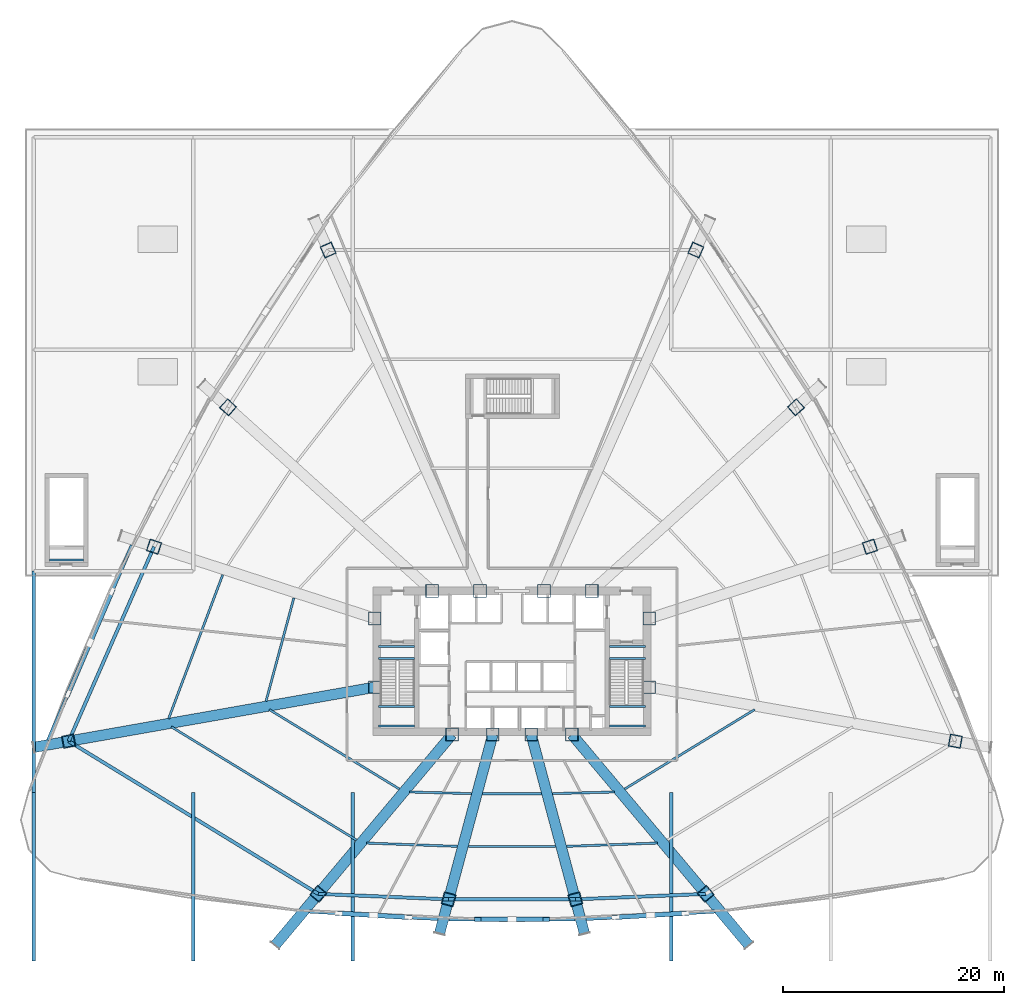
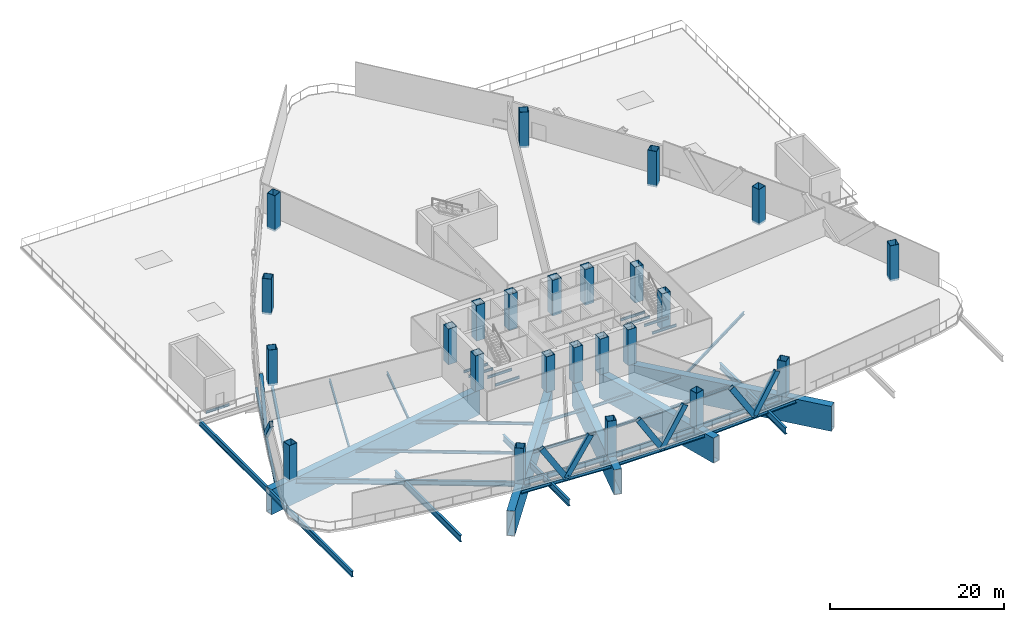
# One storey, part 1 of 18: 39 beams, 24 columns, 8 members.
"""IFC4 building model written with IfcOpenShell, lengths in metres."""

from ifc_helpers import new_model, si_unit, direction, frame, origin, origin_2d, place, context, subcontext, project, spatial, hollow_rectangle, i_section, extrude, source, transform, mapped, material, material_profile, profile_set, type_object, element, save


model = new_model("IFC4")

# Units and contexts
model_context = context("Model", 3, precision=1e-05, world=origin(), true_north=direction((0.0, 1.0)))
body_context = subcontext(model_context, "Body", "Model", "MODEL_VIEW")
ifc_project = project(units=[si_unit("LENGTHUNIT", "METRE"), si_unit("AREAUNIT", "SQUARE_METRE"), si_unit("VOLUMEUNIT", "CUBIC_METRE"), si_unit("PLANEANGLEUNIT", "RADIAN"), si_unit("MASSUNIT", "GRAM", prefix="KILO"), si_unit("THERMODYNAMICTEMPERATUREUNIT", "KELVIN"), si_unit("POWERUNIT", "WATT")], contexts=[model_context])

# Site, building, storey
site_placement = place(None, origin())
site = spatial("IfcSite", under=ifc_project, at=site_placement, CompositionType="ELEMENT")
building_placement = place(site_placement, origin())
building = spatial("IfcBuilding", under=site, at=building_placement, Name="Yunzhuo Pagoda Commons", CompositionType="ELEMENT")
storey_placement = place(building_placement, frame((0.0, 0.0, 25.39990234375)))
storey = spatial("IfcBuildingStorey", under=building, at=storey_placement, Name="L06", CompositionType="ELEMENT", Elevation=25.39990234375)

# Columns
ifc_material_1 = material(Name="Structural steel Q420B", Category="steel")
ifc_material_profile_1 = material_profile(ifc_material_1, hollow_rectangle(XDim=1.14990234375, YDim=1.14990234375, WallThickness=0.048095703125, at=origin_2d()), Name="Structural steel Q420B")
ifc_profile_set_1 = profile_set([ifc_material_profile_1], Name="Structural steel Q420B")
column_type_1 = type_object("IfcColumnType", Name="C-COR Column BOX 1150x1150x48", PredefinedType="COLUMN", material=ifc_profile_set_1)
shared_shape_1 = source(origin(), body_context, "Body", "SweptSolid", [
    extrude(hollow_rectangle(XDim=1.14990234375, YDim=1.14990234375, WallThickness=0.048095703125, at=origin_2d()), origin(), (0.0, 0.0, 1.0), 5.019775390625),
])
for number, where, z_axis, x_axis, name in (
    (1, (42.587890625, 27.25, -0.27978515625), (0.0, 0.0, 1.0), (1.0, 0.0, 0.0), "L06 core composite column F1C1"),
    (2, (46.27197265625, 27.25, -0.27978515625), (0.0, 0.0, 1.0), (1.0, 0.0, 0.0), "L06 core composite column F1C2"),
    (3, (49.728515625, 27.25, -0.27978515625), (0.0, 0.0, 1.0), (1.0, 0.0, 0.0), "L06 core composite column F1C3"),
    (4, (53.412109375, 27.25, -0.27978515625), (0.0, 0.0, 1.0), (1.0, 0.0, 0.0), "L06 core composite column F1C4"),
    (5, (60.39990234375, 31.513427734375, -0.27978515625), (0.0, 0.0, 1.0), (1.0, 0.0, 0.0), "L06 core composite column F2C1"),
    (6, (60.39990234375, 37.72900390625, -0.27978515625), (0.0, 0.0, 1.0), (1.0, 0.0, 0.0), "L06 core composite column F2C2"),
    (7, (55.218994140625, 40.199951171875, -0.27978515625), (0.0, 0.0, 1.0), (1.0, 0.0, 0.0), "L06 core composite column F2C3"),
    (8, (50.89404296875, 40.199951171875, -0.27978515625), (0.0, 0.0, 1.0), (1.0, 0.0, 0.0), "L06 core composite column F2C4"),
    (9, (45.10595703125, 40.199951171875, -0.27978515625), (0.0, 0.0, 1.0), (1.0, 0.0, 0.0), "L06 core composite column F3C1"),
    (10, (40.781005859375, 40.199951171875, -0.27978515625), (0.0, 0.0, 1.0), (1.0, 0.0, 0.0), "L06 core composite column F3C2"),
    (11, (35.60009765625, 37.72900390625, -0.27978515625), (0.0, 0.0, 1.0), (1.0, 0.0, 0.0), "L06 core composite column F3C3"),
    (12, (35.60009765625, 31.513427734375, -0.27978515625), (0.0, 0.0, 1.0), (1.0, 0.0, 0.0), "L06 core composite column F3C4"),
):
    element("IfcColumn", number, at=place(storey_placement, frame(where, z_axis=z_axis, x_axis=x_axis)), inside=storey, type_object=column_type_1, Name=name, PredefinedType="COLUMN", context=body_context, shape_type="MappedRepresentation", body=[
        mapped(shared_shape_1, transform((0.0, 0.0, 0.0), scale=1.0)),
    ])
ifc_material_profile_2 = material_profile(ifc_material_1, hollow_rectangle(XDim=1.10009765625, YDim=1.10009765625, WallThickness=0.044921875, at=origin_2d()), Name="Structural steel Q420B")
ifc_profile_set_2 = profile_set([ifc_material_profile_2], Name="Structural steel Q420B")
column_type_2 = type_object("IfcColumnType", Name="C-Z1 Column BOX 1100x1100x45", PredefinedType="COLUMN", material=ifc_profile_set_2)
shared_shape_2 = source(origin(), body_context, "Body", "SweptSolid", [
    extrude(hollow_rectangle(XDim=1.10009765625, YDim=1.10009765625, WallThickness=0.044921875, at=origin_2d()), origin(), (0.0, 0.0, 1.0), 5.019775390625),
])
for number, where, z_axis, x_axis, name in (
    (13, (30.5, 12.844482421875, -0.27978515625), (0.0, 0.0, 1.0), (0.766044443119, -0.642787609687, 0.0), "L06 tower column F1C1"),
    (14, (42.27978515625, 12.35205078125, -0.27978515625), (0.0, 0.0, 1.0), (0.965925826289, -0.258819045103, 0.0), "L06 tower column F1C2"),
    (15, (53.72021484375, 12.35205078125, -0.27978515625), (0.0, 0.0, 1.0), (0.965925826289, 0.258819045103, 0.0), "L06 tower column F1C3"),
    (16, (65.5, 12.844482421875, -0.27978515625), (0.0, 0.0, 1.0), (0.766044443119, 0.642787609687, 0.0), "L06 tower column F1C4"),
    (17, (88.047607421875, 26.638427734375, -0.27978515625), (0.0, 0.0, 1.0), (0.173648177667, 0.984807753012, 0.0), "L06 tower column F2C1"),
    (18, (80.33544921875, 44.206298828125, -0.27978515625), (0.0, 0.0, 1.0), (-0.309016994375, 0.951056516295, 0.0), "L06 tower column F2C2"),
    (19, (73.648681640625, 56.79443359375, -0.27978515625), (0.0, 0.0, 1.0), (-0.669130606359, 0.743144825477, 0.0), "L06 tower column F2C3"),
    (20, (64.61083984375, 71.008544921875, -0.27978515625), (0.0, 0.0, 1.0), (-0.913545457643, 0.406736643076, 0.0), "L06 tower column F2C4"),
    (21, (31.38916015625, 71.008544921875, -0.27978515625), (0.0, 0.0, 1.0), (-0.913545457643, -0.406736643076, 0.0), "L06 tower column F3C1"),
    (22, (22.351318359375, 56.79443359375, -0.27978515625), (0.0, 0.0, 1.0), (-0.669130606359, -0.743144825477, 0.0), "L06 tower column F3C2"),
    (23, (15.66455078125, 44.206298828125, -0.27978515625), (0.0, 0.0, 1.0), (-0.309016994375, -0.951056516295, 0.0), "L06 tower column F3C3"),
    (24, (7.952392578125, 26.638427734375, -0.27978515625), (0.0, 0.0, 1.0), (0.173648177667, -0.984807753012, 0.0), "L06 tower column F3C4"),
):
    element("IfcColumn", number, at=place(storey_placement, frame(where, z_axis=z_axis, x_axis=x_axis)), inside=storey, type_object=column_type_2, Name=name, PredefinedType="COLUMN", context=body_context, shape_type="MappedRepresentation", body=[
        mapped(shared_shape_2, transform((0.0, 0.0, 0.0), scale=1.0)),
    ])

# Beams
ifc_material_2 = material(Name="Structural steel Q355B", Category="steel")
ifc_material_profile_3 = material_profile(ifc_material_2, i_section(OverallWidth=0.175048828125, OverallDepth=0.35009765625, WebThickness=0.007080078125, FlangeThickness=0.010986328125, at=origin_2d()), Name="Structural steel Q355B")
ifc_profile_set_3 = profile_set([ifc_material_profile_3], Name="Structural steel Q355B")
beam_type_1 = type_object("IfcBeamType", Name="B-JS2 Joist HN 350x175x7x11", PredefinedType="JOIST", material=ifc_profile_set_3)
shared_shape_3 = source(origin(), body_context, "Body", "SweptSolid", [
    extrude(i_section(OverallWidth=0.175048828125, OverallDepth=0.35009765625, WebThickness=0.007080078125, FlangeThickness=0.010986328125, at=origin_2d()), origin(), (0.0, 0.0, 1.0), 3.25),
])
for number, where, z_axis, x_axis, name in (
    (25, (35.949951171875, 28.0, 2.125), (1.0, 0.0, 0.0), (0.0, 1.0, 0.0), "L06 ST1 landing support beam 10A"),
    (26, (35.949951171875, 29.780029296875, 2.125), (1.0, 0.0, 0.0), (0.0, 1.0, 0.0), "L06 ST1 landing support beam 10B"),
    (27, (35.949951171875, 34.10009765625, -0.375), (1.0, 0.0, 0.0), (0.0, 1.0, 0.0), "L06 ST1 landing support beam 110A"),
    (28, (35.949951171875, 35.199951171875, -0.375), (1.0, 0.0, 0.0), (0.0, 1.0, 0.0), "L06 ST1 landing support beam 110B"),
    (29, (56.800048828125, 28.0, 2.125), (1.0, 0.0, 0.0), (0.0, 1.0, 0.0), "L06 ST2 landing support beam 10A"),
    (30, (56.800048828125, 29.780029296875, 2.125), (1.0, 0.0, 0.0), (0.0, 1.0, 0.0), "L06 ST2 landing support beam 10B"),
    (31, (56.800048828125, 34.10009765625, -0.375), (1.0, 0.0, 0.0), (0.0, 1.0, 0.0), "L06 ST2 landing support beam 110A"),
    (32, (56.800048828125, 35.199951171875, -0.375), (1.0, 0.0, 0.0), (0.0, 1.0, 0.0), "L06 ST2 landing support beam 110B"),
):
    element("IfcBeam", number, at=place(storey_placement, frame(where, z_axis=z_axis, x_axis=x_axis)), inside=storey, type_object=beam_type_1, Name=name, PredefinedType="JOIST", context=body_context, shape_type="MappedRepresentation", body=[
        mapped(shared_shape_3, transform((0.0, 0.0, 0.0), scale=1.0)),
    ])
shared_shape_4 = source(origin(), body_context, "Body", "SweptSolid", [
    extrude(i_section(OverallWidth=0.175048828125, OverallDepth=0.35009765625, WebThickness=0.007080078125, FlangeThickness=0.010986328125, at=origin_2d()), origin(), (0.0, 0.0, 1.0), 3.10009765625),
])
beam_1_placement = place(storey_placement, frame((6.199951171875, 43.0, -0.375), z_axis=(1.0, 0.0, 0.0), x_axis=(0.0, 1.0, 0.0)))
element("IfcBeam", 33, at=beam_1_placement, inside=storey, type_object=beam_type_1, Name="L06 PS3 landing support beam 16A", PredefinedType="JOIST", context=body_context, shape_type="MappedRepresentation", body=[
    mapped(shared_shape_4, transform((0.0, 0.0, 0.0), scale=1.0)),
])
ifc_material_profile_4 = material_profile(ifc_material_2, i_section(OverallWidth=0.300048828125, OverallDepth=0.800048828125, WebThickness=0.013916015625, FlangeThickness=0.02587890625, at=origin_2d()), Name="Structural steel Q355B")
ifc_profile_set_4 = profile_set([ifc_material_profile_4], Name="Structural steel Q355B")
beam_type_2 = type_object("IfcBeamType", Name="B-PD2 Beam HN 800x300x14x26", PredefinedType="BEAM", material=ifc_profile_set_4)
shared_shape_5 = source(origin(), body_context, "Body", "SweptSolid", [
    extrude(i_section(OverallWidth=0.300048828125, OverallDepth=0.800048828125, WebThickness=0.013916015625, FlangeThickness=0.02587890625, at=origin_2d()), origin(), (0.0, 0.0, 1.0), 15.199951171875),
])
beam_2_placement = place(storey_placement, frame((4.800048828125, 6.800048828125, -0.679931640625), z_axis=(0.0, 1.0, 0.0), x_axis=(-1.0, 0.0, 0.0)))
element("IfcBeam", 34, at=beam_2_placement, inside=storey, type_object=beam_type_2, Name="L06 podium roof girder NS 1.6", PredefinedType="BEAM", context=body_context, shape_type="MappedRepresentation", body=[
    mapped(shared_shape_5, transform((0.0, 0.0, 0.0), scale=1.0)),
])
shared_shape_6 = source(origin(), body_context, "Body", "SweptSolid", [
    extrude(i_section(OverallWidth=0.300048828125, OverallDepth=0.800048828125, WebThickness=0.013916015625, FlangeThickness=0.02587890625, at=origin_2d()), origin(), (0.0, 0.0, 1.0), 20.0),
])
beam_3_placement = place(storey_placement, frame((4.800048828125, 22.0, -0.679931640625), z_axis=(0.0, 1.0, 0.0), x_axis=(-1.0, 0.0, 0.0)))
element("IfcBeam", 35, at=beam_3_placement, inside=storey, type_object=beam_type_2, Name="L06 podium roof girder NS 1.22", PredefinedType="BEAM", context=body_context, shape_type="MappedRepresentation", body=[
    mapped(shared_shape_6, transform((0.0, 0.0, 0.0), scale=1.0)),
])
ifc_material_profile_5 = material_profile(ifc_material_2, i_section(OverallWidth=0.300048828125, OverallDepth=0.89990234375, WebThickness=0.01611328125, FlangeThickness=0.028076171875, at=origin_2d()), Name="Structural steel Q355B")
ifc_profile_set_5 = profile_set([ifc_material_profile_5], Name="Structural steel Q355B")
beam_type_3 = type_object("IfcBeamType", Name="B-PD1 Beam HN 900x300x16x28", PredefinedType="BEAM", material=ifc_profile_set_5)
shared_shape_7 = source(origin(), body_context, "Body", "SweptSolid", [
    extrude(i_section(OverallWidth=0.300048828125, OverallDepth=0.89990234375, WebThickness=0.01611328125, FlangeThickness=0.028076171875, at=origin_2d()), origin(), (0.0, 0.0, 1.0), 15.199951171875),
])
for number, where, z_axis, x_axis, name in (
    (36, (19.199951171875, 6.800048828125, -0.72998046875), (0.0, 1.0, 0.0), (-1.0, 0.0, 0.0), "L06 podium roof girder NS 2.6"),
    (37, (33.60009765625, 6.800048828125, -0.72998046875), (0.0, 1.0, 0.0), (-1.0, 0.0, 0.0), "L06 podium roof girder NS 3.6"),
    (38, (62.39990234375, 6.800048828125, -0.72998046875), (0.0, 1.0, 0.0), (-1.0, 0.0, 0.0), "L06 podium roof girder NS 4.6"),
):
    element("IfcBeam", number, at=place(storey_placement, frame(where, z_axis=z_axis, x_axis=x_axis)), inside=storey, type_object=beam_type_3, Name=name, PredefinedType="BEAM", context=body_context, shape_type="MappedRepresentation", body=[
        mapped(shared_shape_7, transform((0.0, 0.0, 0.0), scale=1.0)),
    ])
ifc_material_profile_6 = material_profile(ifc_material_1, hollow_rectangle(XDim=0.949951171875, YDim=3.5, WallThickness=0.050048828125, at=origin_2d()), Name="Structural steel Q420B")
ifc_profile_set_6 = profile_set([ifc_material_profile_6], Name="Structural steel Q420B")
beam_type_4 = type_object("IfcBeamType", Name="BTR-1 Beam BOX 3500x950x50", PredefinedType="BEAM", material=ifc_profile_set_6)
shared_shape_8 = source(origin(), body_context, "Body", "SweptSolid", [
    extrude(hollow_rectangle(XDim=0.949951171875, YDim=3.5, WallThickness=0.050048828125, at=origin_2d()), origin(), (0.0, 0.0, 1.0), 24.8681640625),
])
for number, where, z_axis, x_axis, name in (
    (39, (26.60302734375, 8.199951171875, -2.02978515625), (0.642787004072, 0.76604495129, 0.0), (-0.76604495129, 0.642787004072, 0.0), "BTR-1 L06 collinear transfer girder F1C1"),
    (40, (69.39697265625, 8.199951171875, -2.02978515625), (-0.642787004072, 0.76604495129, 0.0), (-0.76604495129, -0.642787004072, 0.0), "BTR-1 L06 collinear transfer girder F1C4"),
):
    element("IfcBeam", number, at=place(storey_placement, frame(where, z_axis=z_axis, x_axis=x_axis)), inside=storey, type_object=beam_type_4, Name=name, PredefinedType="BEAM", context=body_context, shape_type="MappedRepresentation", body=[
        mapped(shared_shape_8, transform((0.0, 0.0, 0.0), scale=1.0)),
    ])
shared_shape_9 = source(origin(), body_context, "Body", "SweptSolid", [
    extrude(hollow_rectangle(XDim=0.949951171875, YDim=3.5, WallThickness=0.050048828125, at=origin_2d()), origin(), (0.0, 0.0, 1.0), 18.62353515625),
])
for number, where, z_axis, x_axis, name in (
    (41, (41.45166015625, 9.260986328125, -2.02978515625), (0.258827602582, 0.965923533279, 0.0), (-0.965923533279, 0.258827602582, 0.0), "BTR-1 L06 collinear transfer girder F1C2"),
    (42, (54.54833984375, 9.260986328125, -2.02978515625), (-0.258803140391, 0.965930087803, 0.0), (-0.965930087803, -0.258803140391, 0.0), "BTR-1 L06 collinear transfer girder F1C3"),
):
    element("IfcBeam", number, at=place(storey_placement, frame(where, z_axis=z_axis, x_axis=x_axis)), inside=storey, type_object=beam_type_4, Name=name, PredefinedType="BEAM", context=body_context, shape_type="MappedRepresentation", body=[
        mapped(shared_shape_9, transform((0.0, 0.0, 0.0), scale=1.0)),
    ])
shared_shape_10 = source(origin(), body_context, "Body", "SweptSolid", [
    extrude(hollow_rectangle(XDim=0.949951171875, YDim=3.5, WallThickness=0.050048828125, at=origin_2d()), origin(), (0.0, 0.0, 1.0), 31.274169921875),
])
beam_4_placement = place(storey_placement, frame((4.801025390625, 26.0830078125, -2.02978515625), z_axis=(0.984809325046, 0.173639261983, 0.0), x_axis=(-0.173639261983, 0.984809325046, 0.0)))
element("IfcBeam", 43, at=beam_4_placement, inside=storey, type_object=beam_type_4, Name="BTR-1 L06 collinear transfer girder F3C4", PredefinedType="BEAM", context=body_context, shape_type="MappedRepresentation", body=[
    mapped(shared_shape_10, transform((0.0, 0.0, 0.0), scale=1.0)),
])
ifc_material_profile_7 = material_profile(ifc_material_2, i_section(OverallWidth=0.300048828125, OverallDepth=0.488037109375, WebThickness=0.010986328125, FlangeThickness=0.01806640625, at=origin_2d()), Name="Structural steel Q355B")
ifc_profile_set_7 = profile_set([ifc_material_profile_7], Name="Structural steel Q355B")
beam_type_5 = type_object("IfcBeamType", Name="B-SP1 Beam HM 488x300x11x18", PredefinedType="BEAM", material=ifc_profile_set_7)
shared_shape_11 = source(origin(), body_context, "Body", "SweptSolid", [
    extrude(i_section(OverallWidth=0.300048828125, OverallDepth=0.488037109375, WebThickness=0.010986328125, FlangeThickness=0.01806640625, at=origin_2d()), origin(), (0.0, 0.0, 1.0), 11.650390625),
])
beam_5_placement = place(storey_placement, frame((29.676513671875, 11.251220703125, -0.52392578125), z_axis=(0.998322377183, -0.057900183211, 0.0), x_axis=(0.057900183211, 0.998322377183, 0.0)))
element("IfcBeam", 44, at=beam_5_placement, inside=storey, type_object=beam_type_5, Name="L06 facade edge spandrel beam F1.1", PredefinedType="BEAM", context=body_context, shape_type="MappedRepresentation", body=[
    mapped(shared_shape_11, transform((0.0, 0.0, 0.0), scale=1.0)),
])
shared_shape_12 = source(origin(), body_context, "Body", "SweptSolid", [
    extrude(i_section(OverallWidth=0.300048828125, OverallDepth=0.488037109375, WebThickness=0.010986328125, FlangeThickness=0.01806640625, at=origin_2d()), origin(), (0.0, 0.0, 1.0), 11.4267578125),
])
beam_6_placement = place(storey_placement, frame((42.28662109375, 10.548095703125, -0.52392578125), z_axis=(1.0, 0.0, 0.0), x_axis=(0.0, 1.0, 0.0)))
element("IfcBeam", 45, at=beam_6_placement, inside=storey, type_object=beam_type_5, Name="L06 facade edge spandrel beam F1.2", PredefinedType="BEAM", context=body_context, shape_type="MappedRepresentation", body=[
    mapped(shared_shape_12, transform((0.0, 0.0, 0.0), scale=1.0)),
])
shared_shape_13 = source(origin(), body_context, "Body", "SweptSolid", [
    extrude(i_section(OverallWidth=0.300048828125, OverallDepth=0.488037109375, WebThickness=0.010986328125, FlangeThickness=0.01806640625, at=origin_2d()), origin(), (0.0, 0.0, 1.0), 11.65087890625),
])
beam_7_placement = place(storey_placement, frame((54.692626953125, 10.57666015625, -0.52392578125), z_axis=(0.998322517678, 0.057897760723, 0.0), x_axis=(-0.057897760723, 0.998322517678, 0.0)))
element("IfcBeam", 46, at=beam_7_placement, inside=storey, type_object=beam_type_5, Name="L06 facade edge spandrel beam F1.3", PredefinedType="BEAM", context=body_context, shape_type="MappedRepresentation", body=[
    mapped(shared_shape_13, transform((0.0, 0.0, 0.0), scale=1.0)),
])
shared_shape_14 = source(origin(), body_context, "Body", "SweptSolid", [
    extrude(i_section(OverallWidth=0.300048828125, OverallDepth=0.488037109375, WebThickness=0.010986328125, FlangeThickness=0.01806640625, at=origin_2d()), origin(), (0.0, 0.0, 1.0), 19.173583984375),
])
beam_8_placement = place(storey_placement, frame((13.666015625, 44.3427734375, -0.52392578125), z_axis=(-0.394853441171, -0.918744121067, 0.0), x_axis=(0.918744121067, -0.394853441171, 0.0)))
element("IfcBeam", 47, at=beam_8_placement, inside=storey, type_object=beam_type_5, Name="L06 facade edge spandrel beam F3.3", PredefinedType="BEAM", context=body_context, shape_type="MappedRepresentation", body=[
    mapped(shared_shape_14, transform((0.0, 0.0, 0.0), scale=1.0)),
])
ifc_material_profile_8 = material_profile(ifc_material_2, i_section(OverallWidth=0.300048828125, OverallDepth=0.699951171875, WebThickness=0.012939453125, FlangeThickness=0.02392578125, at=origin_2d()), Name="Structural steel Q355B")
ifc_profile_set_8 = profile_set([ifc_material_profile_8], Name="Structural steel Q355B")
beam_type_6 = type_object("IfcBeamType", Name="B-RG1 Beam HN 700x300x13x24", PredefinedType="BEAM", material=ifc_profile_set_8)
shared_shape_15 = source(origin(), body_context, "Body", "SweptSolid", [
    extrude(i_section(OverallWidth=0.300048828125, OverallDepth=0.699951171875, WebThickness=0.012939453125, FlangeThickness=0.02392578125, at=origin_2d()), origin(), (0.0, 0.0, 1.0), 11.7900390625),
])
for number, where, z_axis, x_axis, name in (
    (48, (30.5, 12.844482421875, -0.629638671875), (0.99912739354, -0.041766631146, 0.0), (0.041766631146, 0.99912739354, 0.0), "L06 column-ring beam 1"),
    (49, (53.72021484375, 12.35205078125, -0.629638671875), (0.99912739354, 0.041766631146, 0.0), (-0.041766631146, 0.99912739354, 0.0), "L06 column-ring beam 3"),
):
    element("IfcBeam", number, at=place(storey_placement, frame(where, z_axis=z_axis, x_axis=x_axis)), inside=storey, type_object=beam_type_6, Name=name, PredefinedType="BEAM", context=body_context, shape_type="MappedRepresentation", body=[
        mapped(shared_shape_15, transform((0.0, 0.0, 0.0), scale=1.0)),
    ])
ifc_material_profile_9 = material_profile(ifc_material_2, i_section(OverallWidth=0.199951171875, OverallDepth=0.39990234375, WebThickness=0.008056640625, FlangeThickness=0.012939453125, at=origin_2d()), Name="Structural steel Q355B")
ifc_profile_set_9 = profile_set([ifc_material_profile_9], Name="Structural steel Q355B")
beam_type_7 = type_object("IfcBeamType", Name="B-JS1 Joist HN 400x200x8x13", PredefinedType="JOIST", material=ifc_profile_set_9)
shared_shape_16 = source(origin(), body_context, "Body", "SweptSolid", [
    extrude(i_section(OverallWidth=0.199951171875, OverallDepth=0.39990234375, WebThickness=0.008056640625, FlangeThickness=0.012939453125, at=origin_2d()), origin(), (0.0, 0.0, 1.0), 5.59375),
])
for number, where, z_axis, x_axis, name in (
    (50, (38.739501953125, 22.050537109375, -0.47998046875), (0.999639701211, -0.026841530573, 0.0), (0.026841530573, 0.999639701211, 0.0), "L06 composite ring joist 1.1"),
    (51, (51.668701171875, 21.900390625, -0.47998046875), (0.999639701211, 0.026841530573, 0.0), (-0.026841530573, 0.999639701211, 0.0), "L06 composite ring joist 1.3"),
):
    element("IfcBeam", number, at=place(storey_placement, frame(where, z_axis=z_axis, x_axis=x_axis)), inside=storey, type_object=beam_type_7, Name=name, PredefinedType="JOIST", context=body_context, shape_type="MappedRepresentation", body=[
        mapped(shared_shape_16, transform((0.0, 0.0, 0.0), scale=1.0)),
    ])
shared_shape_17 = source(origin(), body_context, "Body", "SweptSolid", [
    extrude(i_section(OverallWidth=0.199951171875, OverallDepth=0.39990234375, WebThickness=0.008056640625, FlangeThickness=0.012939453125, at=origin_2d()), origin(), (0.0, 0.0, 1.0), 8.18798828125),
])
for number, where, z_axis, x_axis, name in (
    (52, (34.871337890625, 17.435791015625, -0.47998046875), (0.999337074165, -0.03640621099, 0.0), (0.03640621099, 0.999337074165, 0.0), "L06 composite ring joist 2.1"),
    (53, (52.946044921875, 17.1376953125, -0.47998046875), (0.999337074165, 0.03640621099, 0.0), (-0.03640621099, 0.999337074165, 0.0), "L06 composite ring joist 2.3"),
):
    element("IfcBeam", number, at=place(storey_placement, frame(where, z_axis=z_axis, x_axis=x_axis)), inside=storey, type_object=beam_type_7, Name=name, PredefinedType="JOIST", context=body_context, shape_type="MappedRepresentation", body=[
        mapped(shared_shape_17, transform((0.0, 0.0, 0.0), scale=1.0)),
    ])
shared_shape_18 = source(origin(), body_context, "Body", "SweptSolid", [
    extrude(i_section(OverallWidth=0.300048828125, OverallDepth=0.699951171875, WebThickness=0.012939453125, FlangeThickness=0.02392578125, at=origin_2d()), origin(), (0.0, 0.0, 1.0), 11.4404296875),
])
beam_9_placement = place(storey_placement, frame((42.27978515625, 12.35205078125, -0.629638671875), z_axis=(1.0, 0.0, 0.0), x_axis=(0.0, 1.0, 0.0)))
element("IfcBeam", 54, at=beam_9_placement, inside=storey, type_object=beam_type_6, Name="L06 column-ring beam 2", PredefinedType="BEAM", context=body_context, shape_type="MappedRepresentation", body=[
    mapped(shared_shape_18, transform((0.0, 0.0, 0.0), scale=1.0)),
])
shared_shape_19 = source(origin(), body_context, "Body", "SweptSolid", [
    extrude(i_section(OverallWidth=0.199951171875, OverallDepth=0.39990234375, WebThickness=0.008056640625, FlangeThickness=0.012939453125, at=origin_2d()), origin(), (0.0, 0.0, 1.0), 5.32373046875),
])
beam_10_placement = place(storey_placement, frame((45.338134765625, 21.88671875, -0.47998046875), z_axis=(1.0, 0.0, 0.0), x_axis=(0.0, 1.0, 0.0)))
element("IfcBeam", 55, at=beam_10_placement, inside=storey, type_object=beam_type_7, Name="L06 composite ring joist 1.2", PredefinedType="JOIST", context=body_context, shape_type="MappedRepresentation", body=[
    mapped(shared_shape_19, transform((0.0, 0.0, 0.0), scale=1.0)),
])
shared_shape_20 = source(origin(), body_context, "Body", "SweptSolid", [
    extrude(i_section(OverallWidth=0.199951171875, OverallDepth=0.39990234375, WebThickness=0.008056640625, FlangeThickness=0.012939453125, at=origin_2d()), origin(), (0.0, 0.0, 1.0), 7.87841796875),
])
beam_11_placement = place(storey_placement, frame((44.060791015625, 17.119384765625, -0.47998046875), z_axis=(1.0, 0.0, 0.0), x_axis=(0.0, 1.0, 0.0)))
element("IfcBeam", 56, at=beam_11_placement, inside=storey, type_object=beam_type_7, Name="L06 composite ring joist 2.2", PredefinedType="JOIST", context=body_context, shape_type="MappedRepresentation", body=[
    mapped(shared_shape_20, transform((0.0, 0.0, 0.0), scale=1.0)),
])
shared_shape_21 = source(origin(), body_context, "Body", "SweptSolid", [
    extrude(i_section(OverallWidth=0.300048828125, OverallDepth=0.699951171875, WebThickness=0.012939453125, FlangeThickness=0.02392578125, at=origin_2d()), origin(), (0.0, 0.0, 1.0), 26.432373046875),
])
beam_12_placement = place(storey_placement, frame((7.952392578125, 26.638427734375, -0.629638671875), z_axis=(0.853031728928, -0.521859051318, 0.0), x_axis=(0.521859051318, 0.853031728928, 0.0)))
element("IfcBeam", 57, at=beam_12_placement, inside=storey, type_object=beam_type_6, Name="L06 column-ring beam 12", PredefinedType="BEAM", context=body_context, shape_type="MappedRepresentation", body=[
    mapped(shared_shape_21, transform((0.0, 0.0, 0.0), scale=1.0)),
])
shared_shape_22 = source(origin(), body_context, "Body", "SweptSolid", [
    extrude(i_section(OverallWidth=0.199951171875, OverallDepth=0.39990234375, WebThickness=0.008056640625, FlangeThickness=0.012939453125, at=origin_2d()), origin(), (0.0, 0.0, 1.0), 13.74755859375),
])
for number, where, z_axis, x_axis, name in (
    (58, (58.193359375, 22.32666015625, -0.47998046875), (0.853258566738, 0.521488080677, 0.0), (-0.521488080677, 0.853258566738, 0.0), "L06 composite ring joist 1.4"),
    (59, (26.076416015625, 29.495849609375, -0.47998046875), (0.853258566738, -0.521488080677, 0.0), (0.521488080677, 0.853258566738, 0.0), "L06 composite ring joist 1.12"),
):
    element("IfcBeam", number, at=place(storey_placement, frame(where, z_axis=z_axis, x_axis=x_axis)), inside=storey, type_object=beam_type_7, Name=name, PredefinedType="JOIST", context=body_context, shape_type="MappedRepresentation", body=[
        mapped(shared_shape_22, transform((0.0, 0.0, 0.0), scale=1.0)),
    ])
shared_shape_23 = source(origin(), body_context, "Body", "SweptSolid", [
    extrude(i_section(OverallWidth=0.199951171875, OverallDepth=0.39990234375, WebThickness=0.008056640625, FlangeThickness=0.012939453125, at=origin_2d()), origin(), (0.0, 0.0, 1.0), 19.586669921875),
])
beam_13_placement = place(storey_placement, frame((17.229248046875, 27.935791015625, -0.47998046875), z_axis=(0.853108008945, -0.521734343392, 0.0), x_axis=(0.521734343392, 0.853108008945, 0.0)))
element("IfcBeam", 60, at=beam_13_placement, inside=storey, type_object=beam_type_7, Name="L06 composite ring joist 2.12", PredefinedType="JOIST", context=body_context, shape_type="MappedRepresentation", body=[
    mapped(shared_shape_23, transform((0.0, 0.0, 0.0), scale=1.0)),
])
shared_shape_24 = source(origin(), body_context, "Body", "SweptSolid", [
    extrude(i_section(OverallWidth=0.300048828125, OverallDepth=0.699951171875, WebThickness=0.012939453125, FlangeThickness=0.02392578125, at=origin_2d()), origin(), (0.0, 0.0, 1.0), 19.18603515625),
])
beam_14_placement = place(storey_placement, frame((15.66455078125, 44.206298828125, -0.629638671875), z_axis=(-0.40196534204, -0.915654882474, 0.0), x_axis=(0.915654882474, -0.40196534204, 0.0)))
element("IfcBeam", 61, at=beam_14_placement, inside=storey, type_object=beam_type_6, Name="L06 column-ring beam 11", PredefinedType="BEAM", context=body_context, shape_type="MappedRepresentation", body=[
    mapped(shared_shape_24, transform((0.0, 0.0, 0.0), scale=1.0)),
])
shared_shape_25 = source(origin(), body_context, "Body", "SweptSolid", [
    extrude(i_section(OverallWidth=0.199951171875, OverallDepth=0.39990234375, WebThickness=0.008056640625, FlangeThickness=0.012939453125, at=origin_2d()), origin(), (0.0, 0.0, 1.0), 9.662841796875),
])
beam_15_placement = place(storey_placement, frame((28.292236328125, 39.57470703125, -0.47998046875), z_axis=(-0.260210858089, -0.965551815975, 0.0), x_axis=(0.965551815975, -0.260210858089, 0.0)))
element("IfcBeam", 62, at=beam_15_placement, inside=storey, type_object=beam_type_7, Name="L06 composite ring joist 1.11", PredefinedType="JOIST", context=body_context, shape_type="MappedRepresentation", body=[
    mapped(shared_shape_25, transform((0.0, 0.0, 0.0), scale=1.0)),
])
shared_shape_26 = source(origin(), body_context, "Body", "SweptSolid", [
    extrude(i_section(OverallWidth=0.199951171875, OverallDepth=0.39990234375, WebThickness=0.008056640625, FlangeThickness=0.012939453125, at=origin_2d()), origin(), (0.0, 0.0, 1.0), 13.88232421875),
])
beam_16_placement = place(storey_placement, frame((21.866455078125, 41.66259765625, -0.47998046875), z_axis=(-0.352200549864, -0.935924555012, 0.0), x_axis=(0.935924555012, -0.352200549864, 0.0)))
element("IfcBeam", 63, at=beam_16_placement, inside=storey, type_object=beam_type_7, Name="L06 composite ring joist 2.11", PredefinedType="JOIST", context=body_context, shape_type="MappedRepresentation", body=[
    mapped(shared_shape_26, transform((0.0, 0.0, 0.0), scale=1.0)),
])

# Members
ifc_material_profile_10 = material_profile(ifc_material_1, hollow_rectangle(XDim=0.419921875, YDim=0.719970703125, WallThickness=0.028076171875, at=origin_2d()), Name="Structural steel Q420B")
ifc_profile_set_10 = profile_set([ifc_material_profile_10], Name="Structural steel Q420B")
member_type = type_object("IfcMemberType", Name="M-DL1 Brace BOX 720x420x28", PredefinedType="BRACE", material=ifc_profile_set_10)
shared_shape_27 = source(origin(), body_context, "Body", "SweptSolid", [
    extrude(hollow_rectangle(XDim=0.419921875, YDim=0.719970703125, WallThickness=0.028076171875, at=origin_2d()), origin(), (0.0, 0.0, 1.0), 5.93017578125),
])
member_1_placement = place(storey_placement, frame((35.49169921875, 10.913818359375, -0.27978515625), z_axis=(-0.531533114532, 0.030835590023, 0.846476056687), x_axis=(-0.057915173823, -0.998321507652, 0.0)))
element("IfcMember", 64, at=member_1_placement, inside=storey, type_object=member_type, Name="L06 facade diamond brace F1.1L", PredefinedType="BRACE", context=body_context, shape_type="MappedRepresentation", body=[
    mapped(shared_shape_27, transform((0.0, 0.0, 0.0), scale=1.0)),
])
shared_shape_28 = source(origin(), body_context, "Body", "SweptSolid", [
    extrude(hollow_rectangle(XDim=0.419921875, YDim=0.719970703125, WallThickness=0.028076171875, at=origin_2d()), origin(), (0.0, 0.0, 1.0), 5.930419921875),
])
for number, where, z_axis, x_axis, name in (
    (65, (35.49169921875, 10.913818359375, -0.27978515625), (0.531562651198, -0.030834915253, 0.846457533402), (0.05791070349, 0.998321766978, 0.0), "L06 facade diamond brace F1.1R"),
    (66, (60.50830078125, 10.913818359375, -0.27978515625), (-0.531562651198, -0.030834915253, 0.846457533402), (0.05791070349, -0.998321766978, 0.0), "L06 facade diamond brace F1.3L"),
    (67, (60.50830078125, 10.913818359375, -0.27978515625), (0.531592185925, 0.030834240475, 0.846439009898), (-0.057906233846, 0.998322026243, 0.0), "L06 facade diamond brace F1.3R"),
):
    element("IfcMember", number, at=place(storey_placement, frame(where, z_axis=z_axis, x_axis=x_axis)), inside=storey, type_object=member_type, Name=name, PredefinedType="BRACE", context=body_context, shape_type="MappedRepresentation", body=[
        mapped(shared_shape_28, transform((0.0, 0.0, 0.0), scale=1.0)),
    ])
shared_shape_29 = source(origin(), body_context, "Body", "SweptSolid", [
    extrude(hollow_rectangle(XDim=0.419921875, YDim=0.719970703125, WallThickness=0.028076171875, at=origin_2d()), origin(), (0.0, 0.0, 1.0), 5.90087890625),
])
for number, where, z_axis, x_axis, name in (
    (68, (48.0, 10.548095703125, -0.27978515625), (-0.525659351989, 0.0, 0.850695154369), (0.0, -1.0, 0.0), "L06 facade diamond brace F1.2L"),
    (69, (48.0, 10.548095703125, -0.27978515625), (0.525659351989, 0.0, 0.850695154369), (0.0, 1.0, 0.0), "L06 facade diamond brace F1.2R"),
):
    element("IfcMember", number, at=place(storey_placement, frame(where, z_axis=z_axis, x_axis=x_axis)), inside=storey, type_object=member_type, Name=name, PredefinedType="BRACE", context=body_context, shape_type="MappedRepresentation", body=[
        mapped(shared_shape_29, transform((0.0, 0.0, 0.0), scale=1.0)),
    ])
shared_shape_30 = source(origin(), body_context, "Body", "SweptSolid", [
    extrude(hollow_rectangle(XDim=0.419921875, YDim=0.719970703125, WallThickness=0.028076171875, at=origin_2d()), origin(), (0.0, 0.0, 1.0), 7.112060546875),
])
member_2_placement = place(storey_placement, frame((9.88037109375, 35.534912109375, -0.27978515625), z_axis=(-0.279700212313, -0.650848800374, 0.705807077241), x_axis=(0.918753575597, -0.394831441665, 0.0)))
element("IfcMember", 70, at=member_2_placement, inside=storey, type_object=member_type, Name="L06 facade diamond brace F3.3R", PredefinedType="BRACE", context=body_context, shape_type="MappedRepresentation", body=[
    mapped(shared_shape_30, transform((0.0, 0.0, 0.0), scale=1.0)),
])
shared_shape_31 = source(origin(), body_context, "Body", "SweptSolid", [
    extrude(hollow_rectangle(XDim=0.419921875, YDim=0.719970703125, WallThickness=0.028076171875, at=origin_2d()), origin(), (0.0, 0.0, 1.0), 7.112548828125),
])
member_3_placement = place(storey_placement, frame((9.88037109375, 35.534912109375, -0.27978515625), z_axis=(0.279719354697, 0.650882120967, 0.705768763274), x_axis=(-0.918751106015, 0.394837188214, 0.0)))
element("IfcMember", 71, at=member_3_placement, inside=storey, type_object=member_type, Name="L06 facade diamond brace F3.3L", PredefinedType="BRACE", context=body_context, shape_type="MappedRepresentation", body=[
    mapped(shared_shape_31, transform((0.0, 0.0, 0.0), scale=1.0)),
])

save(model, "model.ifc")
